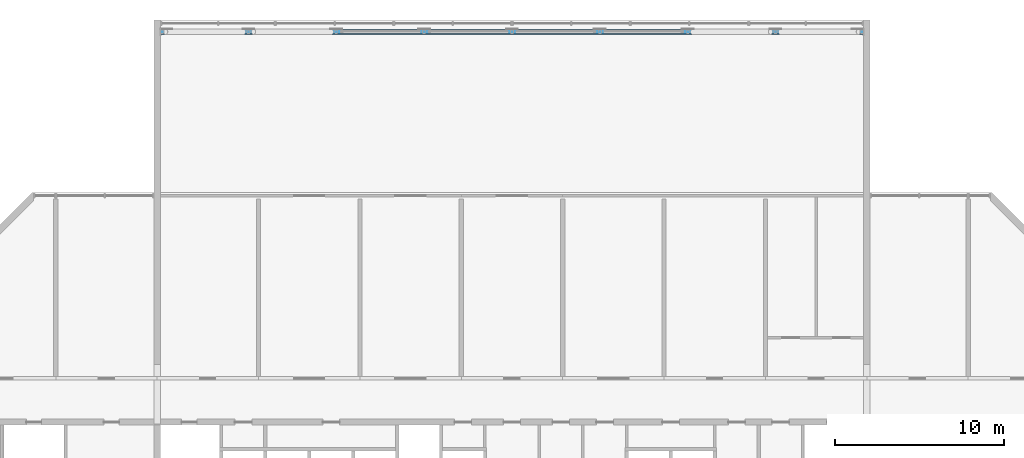
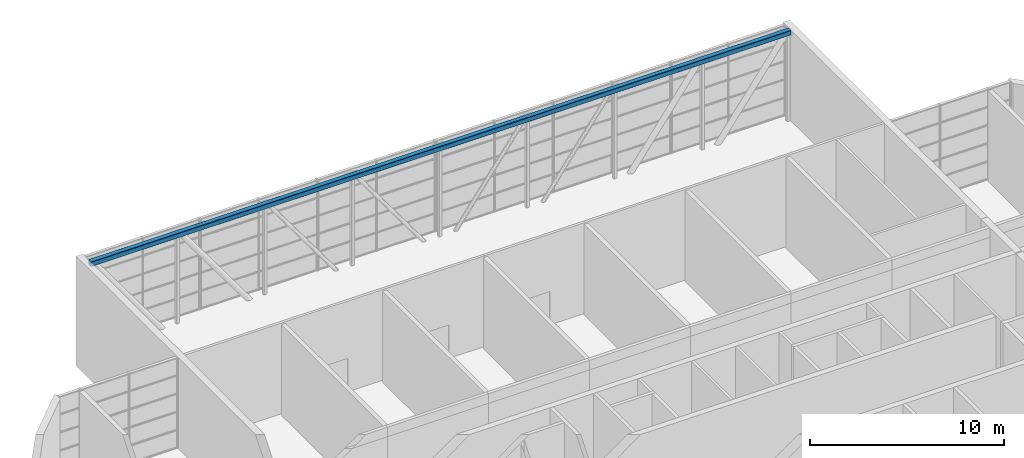
# One storey, part 4 of 17: 1 member.
"""IFC4 building model written with IfcOpenShell, lengths in metres."""

from ifc_helpers import new_model, si_unit, direction, frame, origin, origin_2d, place, context, subcontext, project, spatial, hollow_rectangle, extrude, material, material_profile, profile_set, type_object, element, save


model = new_model("IFC4")

# Units and contexts
model_context = context("Model", 3, precision=1e-05, world=origin(), true_north=direction((0.0, 1.0)))
body_context = subcontext(model_context, "Body", "Model", "MODEL_VIEW")
ifc_project = project(units=[si_unit("LENGTHUNIT", "METRE"), si_unit("AREAUNIT", "SQUARE_METRE"), si_unit("VOLUMEUNIT", "CUBIC_METRE"), si_unit("PLANEANGLEUNIT", "RADIAN"), si_unit("MASSUNIT", "GRAM", prefix="KILO")], contexts=[model_context])

# Site, building, storey
site_placement = place(None, origin())
site = spatial("IfcSite", under=ifc_project, at=site_placement, CompositionType="ELEMENT")
building_placement = place(site_placement, origin())
building = spatial("IfcBuilding", under=site, at=building_placement, Name="Poui Terraces", CompositionType="ELEMENT")
storey_placement = place(building_placement, frame((0.0, 0.0, 261.0)))
storey = spatial("IfcBuildingStorey", under=building, at=storey_placement, Name="L73", CompositionType="ELEMENT", Elevation=261.0)

# Member
ifc_material = material(Name="Steel Grade 350 MPa", Category="steel")
ifc_material_profile = material_profile(ifc_material, hollow_rectangle(XDim=0.300048828125, YDim=0.300048828125, WallThickness=0.01611328125, InnerFilletRadius=0.02392578125, OuterFilletRadius=0.0400390625, at=origin_2d()), Name="300x300x16.0 SHS")
ifc_profile_set = profile_set([ifc_material_profile], Name="Steel Grade 350 MPa")
member_type = type_object("IfcMemberType", Name="TIP TRUSS TOP CHORD 300x300x16.0 SHS", PredefinedType="BRACE", material=ifc_profile_set)
member_placement = place(storey_placement, frame((30.199951171875, 50.89990234375, 5.550048828125), z_axis=(1.0, 0.0, 0.0), x_axis=(0.0, 1.0, 0.0)))
element("IfcMember", 1, at=member_placement, inside=storey, type_object=member_type, Name="TIP TRUSS TOP CHORD", PredefinedType="BRACE", context=body_context, shape_type="SweptSolid", body=[
    extrude(hollow_rectangle(XDim=0.300048828125, YDim=0.300048828125, WallThickness=0.01611328125, InnerFilletRadius=0.02392578125, OuterFilletRadius=0.0400390625, at=origin_2d()), origin(), (0.0, 0.0, 1.0), 41.60009765625),
])

save(model, "model.ifc")
